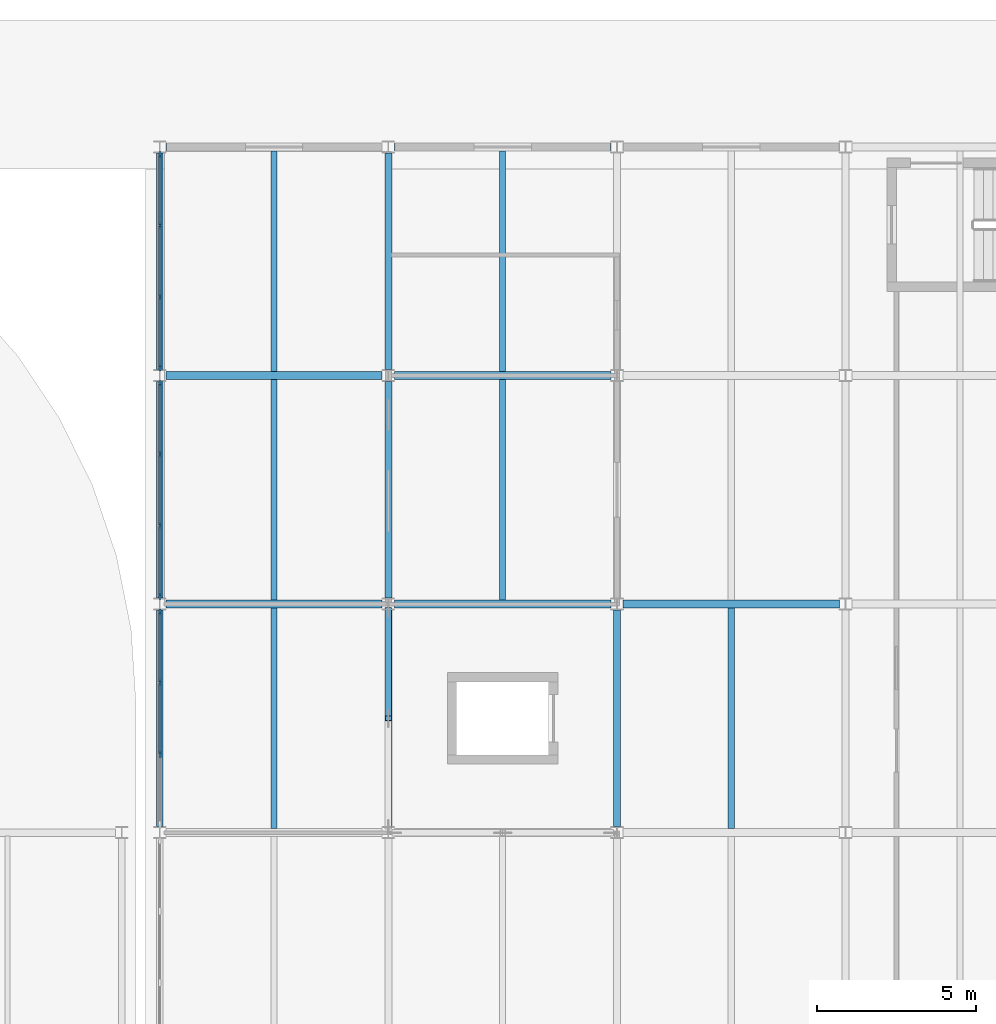
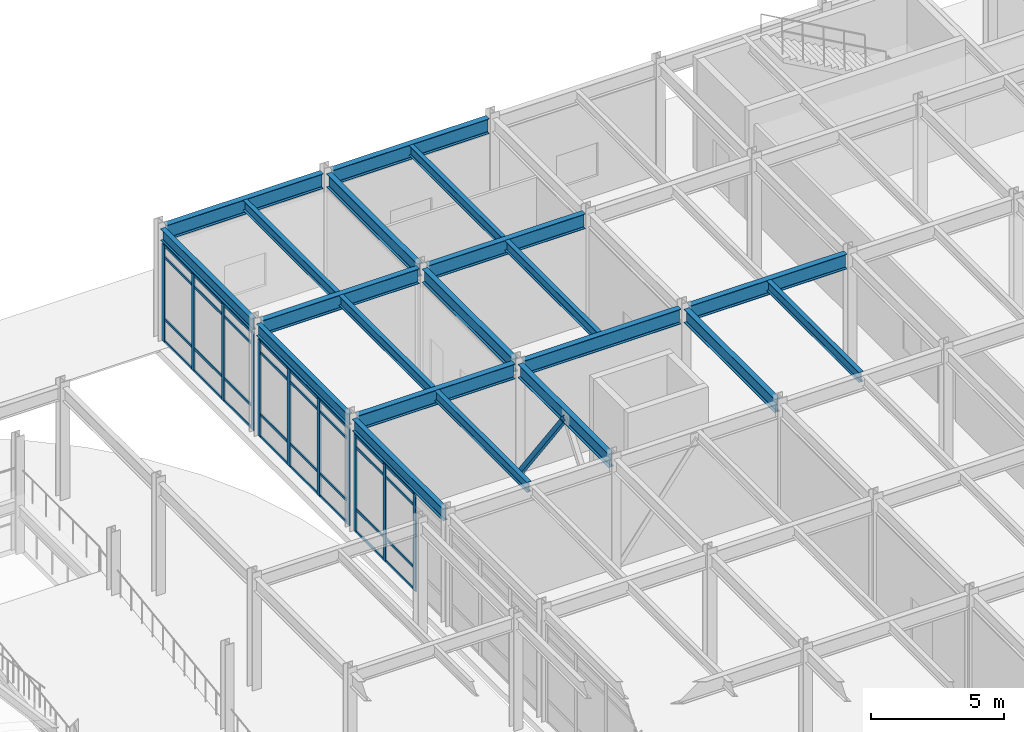
# One storey, part 53 of 104: 44 members, 20 beams, 3 elements without a shape of their own.
"""IFC4 building model written with IfcOpenShell, lengths in metres."""

from ifc_helpers import new_model, si_unit, direction, frame, origin, origin_2d, place, context, subcontext, project, spatial, rectangle, hollow_rectangle, i_section, extrude, material, material_profile, profile_set, type_object, element, aggregate, save


model = new_model("IFC4")

# Units and contexts
model_context = context("Model", 3, precision=1e-05, world=origin(), true_north=direction((0.0, 1.0)))
body_context = subcontext(model_context, "Body", "Model", "MODEL_VIEW")
ifc_project = project(units=[si_unit("LENGTHUNIT", "METRE"), si_unit("AREAUNIT", "SQUARE_METRE"), si_unit("VOLUMEUNIT", "CUBIC_METRE"), si_unit("PLANEANGLEUNIT", "RADIAN"), si_unit("MASSUNIT", "GRAM", prefix="KILO")], contexts=[model_context])

# Site, building, storey
site_placement = place(None, origin())
site = spatial("IfcSite", under=ifc_project, at=site_placement, CompositionType="ELEMENT")
building_placement = place(site_placement, origin())
building = spatial("IfcBuilding", under=site, at=building_placement, Name="Vaelcorin Mobility Hub", CompositionType="ELEMENT")
storey_placement = place(building_placement, origin())
storey = spatial("IfcBuildingStorey", under=building, at=storey_placement, Name="L00", CompositionType="ELEMENT", Elevation=0.0)

# Beams
ifc_material_1 = material(Name="Steel ASTM A992 Grade 50", Category="steel")
ifc_material_profile_1 = material_profile(ifc_material_1, i_section(OverallWidth=0.19091796875, OverallDepth=0.4599609375, WebThickness=0.010009765625, FlangeThickness=0.01611328125, FilletRadius=0.012939453125, at=origin_2d()), Name="W18X55")
ifc_profile_set_1 = profile_set([ifc_material_profile_1], Name="Steel ASTM A992 Grade 50")
beam_type_1 = type_object("IfcBeamType", Name="BM-W18X55", PredefinedType="JOIST", material=ifc_profile_set_1)
beam_1_placement = place(storey_placement, frame((157.199951171875, 98.52490234375, 4.909912109375), z_axis=(0.0, 1.0, 0.0), x_axis=(-1.0, 0.0, 0.0)))
element("IfcBeam", 1, at=beam_1_placement, inside=storey, type_object=beam_type_1, Name="L00 Beam V5-L00-J-01-12-1", PredefinedType="JOIST", context=body_context, shape_type="SweptSolid", body=[
    extrude(i_section(OverallWidth=0.19091796875, OverallDepth=0.4599609375, WebThickness=0.010009765625, FlangeThickness=0.01611328125, FilletRadius=0.012939453125, at=origin_2d()), origin(), (0.0, 0.0, 1.0), 6.9501953125),
])
for number, where, z_axis, x_axis, name in (
    (2, (157.199951171875, 105.72509765625, 4.909912109375), (0.0, 1.0, 0.0), (-1.0, 0.0, 0.0), "L00 Beam V5-L00-J-01-13-1"),
    (3, (157.199951171875, 112.925048828125, 4.909912109375), (0.0, 1.0, 0.0), (-1.0, 0.0, 0.0), "L00 Beam V5-L00-J-01-14-1"),
    (4, (164.39990234375, 105.72509765625, 4.909912109375), (0.0, 1.0, 0.0), (-1.0, 0.0, 0.0), "L00 Beam V5-L00-J-02-13-1"),
    (5, (164.39990234375, 112.925048828125, 4.909912109375), (0.0, 1.0, 0.0), (-1.0, 0.0, 0.0), "L00 Beam V5-L00-J-02-14-1"),
):
    element("IfcBeam", number, at=place(storey_placement, frame(where, z_axis=z_axis, x_axis=x_axis)), inside=storey, type_object=beam_type_1, Name=name, PredefinedType="JOIST", context=body_context, shape_type="SweptSolid", body=[
        extrude(i_section(OverallWidth=0.19091796875, OverallDepth=0.4599609375, WebThickness=0.010009765625, FlangeThickness=0.01611328125, FilletRadius=0.012939453125, at=origin_2d()), origin(), (0.0, 0.0, 1.0), 6.949951171875),
    ])
beam_2_placement = place(storey_placement, frame((171.60009765625, 98.52490234375, 4.909912109375), z_axis=(0.0, 1.0, 0.0), x_axis=(-1.0, 0.0, 0.0)))
element("IfcBeam", 6, at=beam_2_placement, inside=storey, type_object=beam_type_1, Name="L00 Beam V5-L00-J-03-12-1", PredefinedType="JOIST", context=body_context, shape_type="SweptSolid", body=[
    extrude(i_section(OverallWidth=0.19091796875, OverallDepth=0.4599609375, WebThickness=0.010009765625, FlangeThickness=0.01611328125, FilletRadius=0.012939453125, at=origin_2d()), origin(), (0.0, 0.0, 1.0), 6.9501953125),
])
ifc_material_profile_2 = material_profile(ifc_material_1, i_section(OverallWidth=0.2099609375, OverallDepth=0.535888671875, WebThickness=0.010986328125, FlangeThickness=0.017333984375, FilletRadius=0.013916015625, at=origin_2d()), Name="W21X68")
ifc_profile_set_2 = profile_set([ifc_material_profile_2], Name="Steel ASTM A992 Grade 50")
beam_type_2 = type_object("IfcBeamType", Name="BM-W21X68", PredefinedType="SPANDREL", material=ifc_profile_set_2)
beam_3_placement = place(storey_placement, frame((153.60009765625, 98.589111328125, 4.8720703125), z_axis=(0.0, 1.0, 0.0), x_axis=(-1.0, 0.0, 0.0)))
element("IfcBeam", 7, at=beam_3_placement, inside=storey, type_object=beam_type_2, Name="L00 Beam V5-L00-GY-01-12", PredefinedType="SPANDREL", context=body_context, shape_type="SweptSolid", body=[
    extrude(i_section(OverallWidth=0.2099609375, OverallDepth=0.535888671875, WebThickness=0.010986328125, FlangeThickness=0.017333984375, FilletRadius=0.013916015625, at=origin_2d()), origin(), (0.0, 0.0, 1.0), 6.82177734375),
])
beam_4_placement = place(storey_placement, frame((153.60009765625, 105.7880859375, 4.8720703125), z_axis=(0.0, 1.0, 0.0), x_axis=(-1.0, 0.0, 0.0)))
element("IfcBeam", 8, at=beam_4_placement, inside=storey, type_object=beam_type_2, Name="L00 Beam V5-L00-GY-01-13", PredefinedType="SPANDREL", context=body_context, shape_type="SweptSolid", body=[
    extrude(i_section(OverallWidth=0.2099609375, OverallDepth=0.535888671875, WebThickness=0.010986328125, FlangeThickness=0.017333984375, FilletRadius=0.013916015625, at=origin_2d()), origin(), (0.0, 0.0, 1.0), 6.822998046875),
])
beam_5_placement = place(storey_placement, frame((153.60009765625, 112.988037109375, 4.8720703125), z_axis=(0.0, 1.0, 0.0), x_axis=(-1.0, 0.0, 0.0)))
element("IfcBeam", 9, at=beam_5_placement, inside=storey, type_object=beam_type_2, Name="L00 Beam V5-L00-GY-01-14", PredefinedType="SPANDREL", context=body_context, shape_type="SweptSolid", body=[
    extrude(i_section(OverallWidth=0.2099609375, OverallDepth=0.535888671875, WebThickness=0.010986328125, FlangeThickness=0.017333984375, FilletRadius=0.013916015625, at=origin_2d()), origin(), (0.0, 0.0, 1.0), 6.823974609375),
])
ifc_material_profile_3 = material_profile(ifc_material_1, i_section(OverallWidth=0.22900390625, OverallDepth=0.612060546875, WebThickness=0.011962890625, FlangeThickness=0.01953125, FilletRadius=0.014892578125, at=origin_2d()), Name="W24X84")
ifc_profile_set_3 = profile_set([ifc_material_profile_3], Name="Steel ASTM A992 Grade 50")
beam_type_3 = type_object("IfcBeamType", Name="BM-W24X84", PredefinedType="BEAM", material=ifc_profile_set_3)
beam_6_placement = place(storey_placement, frame((160.800048828125, 98.589111328125, 4.833984375), z_axis=(0.0, 1.0, 0.0), x_axis=(-1.0, 0.0, 0.0)))
element("IfcBeam", 10, at=beam_6_placement, inside=storey, type_object=beam_type_3, Name="L00 Beam V5-L00-GY-02-12", PredefinedType="BEAM", context=body_context, shape_type="SweptSolid", body=[
    extrude(i_section(OverallWidth=0.22900390625, OverallDepth=0.612060546875, WebThickness=0.011962890625, FlangeThickness=0.01953125, FilletRadius=0.014892578125, at=origin_2d()), origin(), (0.0, 0.0, 1.0), 6.82177734375),
])
beam_7_placement = place(storey_placement, frame((160.800048828125, 105.7880859375, 4.833984375), z_axis=(0.0, 1.0, 0.0), x_axis=(-1.0, 0.0, 0.0)))
element("IfcBeam", 11, at=beam_7_placement, inside=storey, type_object=beam_type_3, Name="L00 Beam V5-L00-GY-02-13", PredefinedType="BEAM", context=body_context, shape_type="SweptSolid", body=[
    extrude(i_section(OverallWidth=0.22900390625, OverallDepth=0.612060546875, WebThickness=0.011962890625, FlangeThickness=0.01953125, FilletRadius=0.014892578125, at=origin_2d()), origin(), (0.0, 0.0, 1.0), 6.822998046875),
])
beam_8_placement = place(storey_placement, frame((160.800048828125, 112.988037109375, 4.833984375), z_axis=(0.0, 1.0, 0.0), x_axis=(-1.0, 0.0, 0.0)))
element("IfcBeam", 12, at=beam_8_placement, inside=storey, type_object=beam_type_3, Name="L00 Beam V5-L00-GY-02-14", PredefinedType="BEAM", context=body_context, shape_type="SweptSolid", body=[
    extrude(i_section(OverallWidth=0.22900390625, OverallDepth=0.612060546875, WebThickness=0.011962890625, FlangeThickness=0.01953125, FilletRadius=0.014892578125, at=origin_2d()), origin(), (0.0, 0.0, 1.0), 6.823974609375),
])
beam_9_placement = place(storey_placement, frame((168.0, 98.589111328125, 4.833984375), z_axis=(0.0, 1.0, 0.0), x_axis=(-1.0, 0.0, 0.0)))
element("IfcBeam", 13, at=beam_9_placement, inside=storey, type_object=beam_type_3, Name="L00 Beam V5-L00-GY-03-12", PredefinedType="BEAM", context=body_context, shape_type="SweptSolid", body=[
    extrude(i_section(OverallWidth=0.22900390625, OverallDepth=0.612060546875, WebThickness=0.011962890625, FlangeThickness=0.01953125, FilletRadius=0.014892578125, at=origin_2d()), origin(), (0.0, 0.0, 1.0), 6.82177734375),
])
ifc_material_profile_4 = material_profile(ifc_material_1, i_section(OverallWidth=0.25390625, OverallDepth=0.68310546875, WebThickness=0.012451171875, FlangeThickness=0.018798828125, FilletRadius=0.01611328125, at=origin_2d()), Name="W27X94")
ifc_profile_set_4 = profile_set([ifc_material_profile_4], Name="Steel ASTM A992 Grade 50")
beam_type_4 = type_object("IfcBeamType", Name="BM-W27X94", PredefinedType="BEAM", material=ifc_profile_set_4)
beam_10_placement = place(storey_placement, frame((153.7958984375, 105.60009765625, 4.798095703125), z_axis=(1.0, 0.0, 0.0), x_axis=(0.0, 1.0, 0.0)))
element("IfcBeam", 14, at=beam_10_placement, inside=storey, type_object=beam_type_4, Name="L00 Beam V5-L00-GX-13-01", PredefinedType="BEAM", context=body_context, shape_type="SweptSolid", body=[
    extrude(i_section(OverallWidth=0.25390625, OverallDepth=0.68310546875, WebThickness=0.012451171875, FlangeThickness=0.018798828125, FilletRadius=0.01611328125, at=origin_2d()), origin(), (0.0, 0.0, 1.0), 6.80810546875),
])
for number, where, z_axis, x_axis, name in (
    (15, (160.99609375, 105.60009765625, 4.798095703125), (1.0, 0.0, 0.0), (0.0, 1.0, 0.0), "L00 Beam V5-L00-GX-13-02"),
    (16, (168.196044921875, 105.60009765625, 4.798095703125), (1.0, 0.0, 0.0), (0.0, 1.0, 0.0), "L00 Beam V5-L00-GX-13-03"),
):
    element("IfcBeam", number, at=place(storey_placement, frame(where, z_axis=z_axis, x_axis=x_axis)), inside=storey, type_object=beam_type_4, Name=name, PredefinedType="BEAM", context=body_context, shape_type="SweptSolid", body=[
        extrude(i_section(OverallWidth=0.25390625, OverallDepth=0.68310546875, WebThickness=0.012451171875, FlangeThickness=0.018798828125, FilletRadius=0.01611328125, at=origin_2d()), origin(), (0.0, 0.0, 1.0), 6.807861328125),
    ])
beam_11_placement = place(storey_placement, frame((153.7958984375, 112.800048828125, 4.798095703125), z_axis=(1.0, 0.0, 0.0), x_axis=(0.0, 1.0, 0.0)))
element("IfcBeam", 17, at=beam_11_placement, inside=storey, type_object=beam_type_4, Name="L00 Beam V5-L00-GX-14-01", PredefinedType="BEAM", context=body_context, shape_type="SweptSolid", body=[
    extrude(i_section(OverallWidth=0.25390625, OverallDepth=0.68310546875, WebThickness=0.012451171875, FlangeThickness=0.018798828125, FilletRadius=0.01611328125, at=origin_2d()), origin(), (0.0, 0.0, 1.0), 6.80810546875),
])
beam_12_placement = place(storey_placement, frame((160.99609375, 112.800048828125, 4.798095703125), z_axis=(1.0, 0.0, 0.0), x_axis=(0.0, 1.0, 0.0)))
element("IfcBeam", 18, at=beam_12_placement, inside=storey, type_object=beam_type_4, Name="L00 Beam V5-L00-GX-14-02", PredefinedType="BEAM", context=body_context, shape_type="SweptSolid", body=[
    extrude(i_section(OverallWidth=0.25390625, OverallDepth=0.68310546875, WebThickness=0.012451171875, FlangeThickness=0.018798828125, FilletRadius=0.01611328125, at=origin_2d()), origin(), (0.0, 0.0, 1.0), 6.807861328125),
])
beam_13_placement = place(storey_placement, frame((153.7958984375, 120.0, 4.798095703125), z_axis=(1.0, 0.0, 0.0), x_axis=(0.0, 1.0, 0.0)))
element("IfcBeam", 19, at=beam_13_placement, inside=storey, type_object=beam_type_4, Name="L00 Beam V5-L00-GX-15-01", PredefinedType="BEAM", context=body_context, shape_type="SweptSolid", body=[
    extrude(i_section(OverallWidth=0.25390625, OverallDepth=0.68310546875, WebThickness=0.012451171875, FlangeThickness=0.018798828125, FilletRadius=0.01611328125, at=origin_2d()), origin(), (0.0, 0.0, 1.0), 6.80810546875),
])
beam_14_placement = place(storey_placement, frame((160.99609375, 120.0, 4.798095703125), z_axis=(1.0, 0.0, 0.0), x_axis=(0.0, 1.0, 0.0)))
element("IfcBeam", 20, at=beam_14_placement, inside=storey, type_object=beam_type_4, Name="L00 Beam V5-L00-GX-15-02", PredefinedType="BEAM", context=body_context, shape_type="SweptSolid", body=[
    extrude(i_section(OverallWidth=0.25390625, OverallDepth=0.68310546875, WebThickness=0.012451171875, FlangeThickness=0.018798828125, FilletRadius=0.01611328125, at=origin_2d()), origin(), (0.0, 0.0, 1.0), 6.807861328125),
])

# Member
ifc_material_2 = material(Name="Steel ASTM A500 Grade C", Category="steel")
ifc_material_profile_5 = material_profile(ifc_material_2, hollow_rectangle(XDim=0.203125, YDim=0.203125, WallThickness=0.01171875, at=origin_2d()), Name="HSS8X8X0.500")
ifc_profile_set_5 = profile_set([ifc_material_profile_5], Name="Steel ASTM A500 Grade C")
member_type_1 = type_object("IfcMemberType", Name="BR-SCBF-8X8", PredefinedType="BRACE", material=ifc_profile_set_5)
member_1_placement = place(storey_placement, frame((160.800048828125, 105.409912109375, 0.179931640625), z_axis=(0.0, -0.598018326756, 0.801482427046), x_axis=(1.0, 0.0, 0.0)))
element("IfcMember", 21, at=member_1_placement, inside=storey, type_object=member_type_1, Name="SCBF Chevron Brace V5-BY2-L00-B", PredefinedType="BRACE", context=body_context, shape_type="SweptSolid", body=[
    extrude(hollow_rectangle(XDim=0.203125, YDim=0.203125, WallThickness=0.01171875, at=origin_2d()), origin(), (0.0, 0.0, 1.0), 5.701904296875),
])

# Curtain wall, members
ifc_material_3 = material(Name="Anodised aluminium 6063-T6", Category="aluminium")
curtain_wall_type = type_object("IfcCurtainWallType", Name="CW-MOB-A", PredefinedType="NOTDEFINED", material=ifc_material_3)
curtain_wall_1_placement = place(storey_placement, origin())
curtain_wall_1 = element("IfcCurtainWall", 22, at=curtain_wall_1_placement, inside=storey, type_object=curtain_wall_type, Name="L00 Curtain Wall CW-V5-L00-WN-04", PredefinedType="NOTDEFINED")
ifc_material_profile_6 = material_profile(ifc_material_3, rectangle(XDim=0.070068359375, YDim=0.199951171875, at=origin_2d()), Name="ALU-M70X200")
ifc_profile_set_6 = profile_set([ifc_material_profile_6], Name="Anodised aluminium 6063-T6")
member_type_2 = type_object("IfcMemberType", Name="CW-MULL-200", PredefinedType="MULLION", material=ifc_profile_set_6)
member_2_placement = place(storey_placement, frame((153.60009765625, 100.873291015625, 0.0), z_axis=(0.0, 0.0, 1.0), x_axis=(-1.0, 0.0, 0.0)))
member_2 = element("IfcMember", 23, at=member_2_placement, type_object=member_type_2, Name="CW7 mullion 2", PredefinedType="MULLION", context=body_context, shape_type="SweptSolid", body=[
    extrude(rectangle(XDim=0.070068359375, YDim=0.199951171875, at=origin_2d()), origin(), (0.0, 0.0, 1.0), 4.44189453125),
])
member_3_placement = place(storey_placement, frame((153.60009765625, 103.126708984375, 0.0), z_axis=(0.0, 0.0, 1.0), x_axis=(-1.0, 0.0, 0.0)))
member_3 = element("IfcMember", 24, at=member_3_placement, type_object=member_type_2, Name="CW7 mullion 3", PredefinedType="MULLION", context=body_context, shape_type="SweptSolid", body=[
    extrude(rectangle(XDim=0.070068359375, YDim=0.199951171875, at=origin_2d()), origin(), (0.0, 0.0, 1.0), 4.44189453125),
])
member_4_placement = place(storey_placement, frame((153.60009765625, 105.35009765625, 0.0), z_axis=(0.0, 0.0, 1.0), x_axis=(-1.0, 0.0, 0.0)))
member_4 = element("IfcMember", 25, at=member_4_placement, type_object=member_type_2, Name="CW7 mullion 4", PredefinedType="MULLION", context=body_context, shape_type="SweptSolid", body=[
    extrude(rectangle(XDim=0.070068359375, YDim=0.199951171875, at=origin_2d()), origin(), (0.0, 0.0, 1.0), 4.44189453125),
])

curtain_wall_2_placement = place(storey_placement, origin())
curtain_wall_2 = element("IfcCurtainWall", 26, at=curtain_wall_2_placement, inside=storey, type_object=curtain_wall_type, Name="L00 Curtain Wall CW-V5-L00-WN-05", PredefinedType="NOTDEFINED")
member_5_placement = place(storey_placement, frame((153.60009765625, 105.85009765625, 0.0), z_axis=(0.0, 0.0, 1.0), x_axis=(-1.0, 0.0, 0.0)))
member_5 = element("IfcMember", 27, at=member_5_placement, type_object=member_type_2, Name="CW7 mullion 1", PredefinedType="MULLION", context=body_context, shape_type="SweptSolid", body=[
    extrude(rectangle(XDim=0.070068359375, YDim=0.199951171875, at=origin_2d()), origin(), (0.0, 0.0, 1.0), 4.44189453125),
])
member_6_placement = place(storey_placement, frame((153.60009765625, 108.0732421875, 0.0), z_axis=(0.0, 0.0, 1.0), x_axis=(-1.0, 0.0, 0.0)))
member_6 = element("IfcMember", 28, at=member_6_placement, type_object=member_type_2, Name="CW7 mullion 2", PredefinedType="MULLION", context=body_context, shape_type="SweptSolid", body=[
    extrude(rectangle(XDim=0.070068359375, YDim=0.199951171875, at=origin_2d()), origin(), (0.0, 0.0, 1.0), 4.44189453125),
])
member_7_placement = place(storey_placement, frame((153.60009765625, 110.32666015625, 0.0), z_axis=(0.0, 0.0, 1.0), x_axis=(-1.0, 0.0, 0.0)))
member_7 = element("IfcMember", 29, at=member_7_placement, type_object=member_type_2, Name="CW7 mullion 3", PredefinedType="MULLION", context=body_context, shape_type="SweptSolid", body=[
    extrude(rectangle(XDim=0.070068359375, YDim=0.199951171875, at=origin_2d()), origin(), (0.0, 0.0, 1.0), 4.44189453125),
])
member_8_placement = place(storey_placement, frame((153.60009765625, 112.550048828125, 0.0), z_axis=(0.0, 0.0, 1.0), x_axis=(-1.0, 0.0, 0.0)))
member_8 = element("IfcMember", 30, at=member_8_placement, type_object=member_type_2, Name="CW7 mullion 4", PredefinedType="MULLION", context=body_context, shape_type="SweptSolid", body=[
    extrude(rectangle(XDim=0.070068359375, YDim=0.199951171875, at=origin_2d()), origin(), (0.0, 0.0, 1.0), 4.44189453125),
])

curtain_wall_3_placement = place(storey_placement, origin())
curtain_wall_3 = element("IfcCurtainWall", 31, at=curtain_wall_3_placement, inside=storey, type_object=curtain_wall_type, Name="L00 Curtain Wall CW-V5-L00-WN-06", PredefinedType="NOTDEFINED")
member_9_placement = place(storey_placement, frame((153.60009765625, 113.050048828125, 0.0), z_axis=(0.0, 0.0, 1.0), x_axis=(-1.0, 0.0, 0.0)))
member_9 = element("IfcMember", 32, at=member_9_placement, type_object=member_type_2, Name="CW7 mullion 1", PredefinedType="MULLION", context=body_context, shape_type="SweptSolid", body=[
    extrude(rectangle(XDim=0.070068359375, YDim=0.199951171875, at=origin_2d()), origin(), (0.0, 0.0, 1.0), 4.44189453125),
])
member_10_placement = place(storey_placement, frame((153.60009765625, 115.2734375, 0.0), z_axis=(0.0, 0.0, 1.0), x_axis=(-1.0, 0.0, 0.0)))
member_10 = element("IfcMember", 33, at=member_10_placement, type_object=member_type_2, Name="CW7 mullion 2", PredefinedType="MULLION", context=body_context, shape_type="SweptSolid", body=[
    extrude(rectangle(XDim=0.070068359375, YDim=0.199951171875, at=origin_2d()), origin(), (0.0, 0.0, 1.0), 4.44189453125),
])
member_11_placement = place(storey_placement, frame((153.60009765625, 117.526611328125, 0.0), z_axis=(0.0, 0.0, 1.0), x_axis=(-1.0, 0.0, 0.0)))
member_11 = element("IfcMember", 34, at=member_11_placement, type_object=member_type_2, Name="CW7 mullion 3", PredefinedType="MULLION", context=body_context, shape_type="SweptSolid", body=[
    extrude(rectangle(XDim=0.070068359375, YDim=0.199951171875, at=origin_2d()), origin(), (0.0, 0.0, 1.0), 4.44189453125),
])
member_12_placement = place(storey_placement, frame((153.60009765625, 119.75, 0.0), z_axis=(0.0, 0.0, 1.0), x_axis=(-1.0, 0.0, 0.0)))
member_12 = element("IfcMember", 35, at=member_12_placement, type_object=member_type_2, Name="CW7 mullion 4", PredefinedType="MULLION", context=body_context, shape_type="SweptSolid", body=[
    extrude(rectangle(XDim=0.070068359375, YDim=0.199951171875, at=origin_2d()), origin(), (0.0, 0.0, 1.0), 4.44189453125),
])

# Member
ifc_material_profile_7 = material_profile(ifc_material_3, rectangle(XDim=0.06005859375, YDim=0.1201171875, at=origin_2d()), Name="ALU-T60X120")
ifc_profile_set_7 = profile_set([ifc_material_profile_7], Name="Anodised aluminium 6063-T6")
member_type_3 = type_object("IfcMemberType", Name="CW-TRAN-140", PredefinedType="USERDEFINED", material=ifc_profile_set_7)
member_13_placement = place(storey_placement, frame((153.60009765625, 100.9033203125, 0.030029296875), z_axis=(0.0, 1.0, 0.0), x_axis=(-1.0, 0.0, 0.0)))
member_13 = element("IfcMember", 36, at=member_13_placement, type_object=member_type_3, Name="CW7 transom 2.1", ObjectType="TRANSOM", PredefinedType="USERDEFINED", context=body_context, shape_type="SweptSolid", body=[
    extrude(rectangle(XDim=0.06005859375, YDim=0.1201171875, at=origin_2d()), origin(), (0.0, 0.0, 1.0), 2.193359375),
])

member_14_placement = place(storey_placement, frame((153.60009765625, 100.9033203125, 1.050048828125), z_axis=(0.0, 1.0, 0.0), x_axis=(-1.0, 0.0, 0.0)))
member_14 = element("IfcMember", 37, at=member_14_placement, type_object=member_type_3, Name="CW7 transom 2.2", ObjectType="TRANSOM", PredefinedType="USERDEFINED", context=body_context, shape_type="SweptSolid", body=[
    extrude(rectangle(XDim=0.06005859375, YDim=0.1201171875, at=origin_2d()), origin(), (0.0, 0.0, 1.0), 2.193359375),
])

member_15_placement = place(storey_placement, frame((153.60009765625, 100.9033203125, 3.89208984375), z_axis=(0.0, 1.0, 0.0), x_axis=(-1.0, 0.0, 0.0)))
member_15 = element("IfcMember", 38, at=member_15_placement, type_object=member_type_3, Name="CW7 transom 2.3", ObjectType="TRANSOM", PredefinedType="USERDEFINED", context=body_context, shape_type="SweptSolid", body=[
    extrude(rectangle(XDim=0.06005859375, YDim=0.1201171875, at=origin_2d()), origin(), (0.0, 0.0, 1.0), 2.193359375),
])

member_16_placement = place(storey_placement, frame((153.60009765625, 100.9033203125, 4.412109375), z_axis=(0.0, 1.0, 0.0), x_axis=(-1.0, 0.0, 0.0)))
member_16 = element("IfcMember", 39, at=member_16_placement, type_object=member_type_3, Name="CW7 transom 2.4", ObjectType="TRANSOM", PredefinedType="USERDEFINED", context=body_context, shape_type="SweptSolid", body=[
    extrude(rectangle(XDim=0.06005859375, YDim=0.1201171875, at=origin_2d()), origin(), (0.0, 0.0, 1.0), 2.193359375),
])

member_17_placement = place(storey_placement, frame((153.60009765625, 103.15673828125, 0.030029296875), z_axis=(0.0, 1.0, 0.0), x_axis=(-1.0, 0.0, 0.0)))
member_17 = element("IfcMember", 40, at=member_17_placement, type_object=member_type_3, Name="CW7 transom 3.1", ObjectType="TRANSOM", PredefinedType="USERDEFINED", context=body_context, shape_type="SweptSolid", body=[
    extrude(rectangle(XDim=0.06005859375, YDim=0.1201171875, at=origin_2d()), origin(), (0.0, 0.0, 1.0), 2.163330078125),
])

member_18_placement = place(storey_placement, frame((153.60009765625, 103.15673828125, 1.050048828125), z_axis=(0.0, 1.0, 0.0), x_axis=(-1.0, 0.0, 0.0)))
member_18 = element("IfcMember", 41, at=member_18_placement, type_object=member_type_3, Name="CW7 transom 3.2", ObjectType="TRANSOM", PredefinedType="USERDEFINED", context=body_context, shape_type="SweptSolid", body=[
    extrude(rectangle(XDim=0.06005859375, YDim=0.1201171875, at=origin_2d()), origin(), (0.0, 0.0, 1.0), 2.163330078125),
])

member_19_placement = place(storey_placement, frame((153.60009765625, 103.15673828125, 3.89208984375), z_axis=(0.0, 1.0, 0.0), x_axis=(-1.0, 0.0, 0.0)))
member_19 = element("IfcMember", 42, at=member_19_placement, type_object=member_type_3, Name="CW7 transom 3.3", ObjectType="TRANSOM", PredefinedType="USERDEFINED", context=body_context, shape_type="SweptSolid", body=[
    extrude(rectangle(XDim=0.06005859375, YDim=0.1201171875, at=origin_2d()), origin(), (0.0, 0.0, 1.0), 2.163330078125),
])

member_20_placement = place(storey_placement, frame((153.60009765625, 103.15673828125, 4.412109375), z_axis=(0.0, 1.0, 0.0), x_axis=(-1.0, 0.0, 0.0)))
member_20 = element("IfcMember", 43, at=member_20_placement, type_object=member_type_3, Name="CW7 transom 3.4", ObjectType="TRANSOM", PredefinedType="USERDEFINED", context=body_context, shape_type="SweptSolid", body=[
    extrude(rectangle(XDim=0.06005859375, YDim=0.1201171875, at=origin_2d()), origin(), (0.0, 0.0, 1.0), 2.163330078125),
])

aggregate(curtain_wall_1, [member_2, member_3, member_4, member_13, member_14, member_15, member_16, member_17, member_18, member_19, member_20])

member_21_placement = place(storey_placement, frame((153.60009765625, 105.8798828125, 0.030029296875), z_axis=(0.0, 1.0, 0.0), x_axis=(-1.0, 0.0, 0.0)))
member_21 = element("IfcMember", 44, at=member_21_placement, type_object=member_type_3, Name="CW7 transom 1.1", ObjectType="TRANSOM", PredefinedType="USERDEFINED", context=body_context, shape_type="SweptSolid", body=[
    extrude(rectangle(XDim=0.06005859375, YDim=0.1201171875, at=origin_2d()), origin(), (0.0, 0.0, 1.0), 2.163330078125),
])

member_22_placement = place(storey_placement, frame((153.60009765625, 105.8798828125, 1.050048828125), z_axis=(0.0, 1.0, 0.0), x_axis=(-1.0, 0.0, 0.0)))
member_22 = element("IfcMember", 45, at=member_22_placement, type_object=member_type_3, Name="CW7 transom 1.2", ObjectType="TRANSOM", PredefinedType="USERDEFINED", context=body_context, shape_type="SweptSolid", body=[
    extrude(rectangle(XDim=0.06005859375, YDim=0.1201171875, at=origin_2d()), origin(), (0.0, 0.0, 1.0), 2.163330078125),
])

member_23_placement = place(storey_placement, frame((153.60009765625, 105.8798828125, 3.89208984375), z_axis=(0.0, 1.0, 0.0), x_axis=(-1.0, 0.0, 0.0)))
member_23 = element("IfcMember", 46, at=member_23_placement, type_object=member_type_3, Name="CW7 transom 1.3", ObjectType="TRANSOM", PredefinedType="USERDEFINED", context=body_context, shape_type="SweptSolid", body=[
    extrude(rectangle(XDim=0.06005859375, YDim=0.1201171875, at=origin_2d()), origin(), (0.0, 0.0, 1.0), 2.163330078125),
])

member_24_placement = place(storey_placement, frame((153.60009765625, 105.8798828125, 4.412109375), z_axis=(0.0, 1.0, 0.0), x_axis=(-1.0, 0.0, 0.0)))
member_24 = element("IfcMember", 47, at=member_24_placement, type_object=member_type_3, Name="CW7 transom 1.4", ObjectType="TRANSOM", PredefinedType="USERDEFINED", context=body_context, shape_type="SweptSolid", body=[
    extrude(rectangle(XDim=0.06005859375, YDim=0.1201171875, at=origin_2d()), origin(), (0.0, 0.0, 1.0), 2.163330078125),
])

member_25_placement = place(storey_placement, frame((153.60009765625, 108.103271484375, 0.030029296875), z_axis=(0.0, 1.0, 0.0), x_axis=(-1.0, 0.0, 0.0)))
member_25 = element("IfcMember", 48, at=member_25_placement, type_object=member_type_3, Name="CW7 transom 2.1", ObjectType="TRANSOM", PredefinedType="USERDEFINED", context=body_context, shape_type="SweptSolid", body=[
    extrude(rectangle(XDim=0.06005859375, YDim=0.1201171875, at=origin_2d()), origin(), (0.0, 0.0, 1.0), 2.193359375),
])

member_26_placement = place(storey_placement, frame((153.60009765625, 108.103271484375, 1.050048828125), z_axis=(0.0, 1.0, 0.0), x_axis=(-1.0, 0.0, 0.0)))
member_26 = element("IfcMember", 49, at=member_26_placement, type_object=member_type_3, Name="CW7 transom 2.2", ObjectType="TRANSOM", PredefinedType="USERDEFINED", context=body_context, shape_type="SweptSolid", body=[
    extrude(rectangle(XDim=0.06005859375, YDim=0.1201171875, at=origin_2d()), origin(), (0.0, 0.0, 1.0), 2.193359375),
])

member_27_placement = place(storey_placement, frame((153.60009765625, 108.103271484375, 3.89208984375), z_axis=(0.0, 1.0, 0.0), x_axis=(-1.0, 0.0, 0.0)))
member_27 = element("IfcMember", 50, at=member_27_placement, type_object=member_type_3, Name="CW7 transom 2.3", ObjectType="TRANSOM", PredefinedType="USERDEFINED", context=body_context, shape_type="SweptSolid", body=[
    extrude(rectangle(XDim=0.06005859375, YDim=0.1201171875, at=origin_2d()), origin(), (0.0, 0.0, 1.0), 2.193359375),
])

member_28_placement = place(storey_placement, frame((153.60009765625, 108.103271484375, 4.412109375), z_axis=(0.0, 1.0, 0.0), x_axis=(-1.0, 0.0, 0.0)))
member_28 = element("IfcMember", 51, at=member_28_placement, type_object=member_type_3, Name="CW7 transom 2.4", ObjectType="TRANSOM", PredefinedType="USERDEFINED", context=body_context, shape_type="SweptSolid", body=[
    extrude(rectangle(XDim=0.06005859375, YDim=0.1201171875, at=origin_2d()), origin(), (0.0, 0.0, 1.0), 2.193359375),
])

member_29_placement = place(storey_placement, frame((153.60009765625, 110.356689453125, 0.030029296875), z_axis=(0.0, 1.0, 0.0), x_axis=(-1.0, 0.0, 0.0)))
member_29 = element("IfcMember", 52, at=member_29_placement, type_object=member_type_3, Name="CW7 transom 3.1", ObjectType="TRANSOM", PredefinedType="USERDEFINED", context=body_context, shape_type="SweptSolid", body=[
    extrude(rectangle(XDim=0.06005859375, YDim=0.1201171875, at=origin_2d()), origin(), (0.0, 0.0, 1.0), 2.163330078125),
])

member_30_placement = place(storey_placement, frame((153.60009765625, 110.356689453125, 1.050048828125), z_axis=(0.0, 1.0, 0.0), x_axis=(-1.0, 0.0, 0.0)))
member_30 = element("IfcMember", 53, at=member_30_placement, type_object=member_type_3, Name="CW7 transom 3.2", ObjectType="TRANSOM", PredefinedType="USERDEFINED", context=body_context, shape_type="SweptSolid", body=[
    extrude(rectangle(XDim=0.06005859375, YDim=0.1201171875, at=origin_2d()), origin(), (0.0, 0.0, 1.0), 2.163330078125),
])

member_31_placement = place(storey_placement, frame((153.60009765625, 110.356689453125, 3.89208984375), z_axis=(0.0, 1.0, 0.0), x_axis=(-1.0, 0.0, 0.0)))
member_31 = element("IfcMember", 54, at=member_31_placement, type_object=member_type_3, Name="CW7 transom 3.3", ObjectType="TRANSOM", PredefinedType="USERDEFINED", context=body_context, shape_type="SweptSolid", body=[
    extrude(rectangle(XDim=0.06005859375, YDim=0.1201171875, at=origin_2d()), origin(), (0.0, 0.0, 1.0), 2.163330078125),
])

member_32_placement = place(storey_placement, frame((153.60009765625, 110.356689453125, 4.412109375), z_axis=(0.0, 1.0, 0.0), x_axis=(-1.0, 0.0, 0.0)))
member_32 = element("IfcMember", 55, at=member_32_placement, type_object=member_type_3, Name="CW7 transom 3.4", ObjectType="TRANSOM", PredefinedType="USERDEFINED", context=body_context, shape_type="SweptSolid", body=[
    extrude(rectangle(XDim=0.06005859375, YDim=0.1201171875, at=origin_2d()), origin(), (0.0, 0.0, 1.0), 2.163330078125),
])

aggregate(curtain_wall_2, [member_5, member_6, member_7, member_8, member_21, member_22, member_23, member_24, member_25, member_26, member_27, member_28, member_29, member_30, member_31, member_32])

member_33_placement = place(storey_placement, frame((153.60009765625, 113.080078125, 0.030029296875), z_axis=(0.0, 1.0, 0.0), x_axis=(-1.0, 0.0, 0.0)))
member_33 = element("IfcMember", 56, at=member_33_placement, type_object=member_type_3, Name="CW7 transom 1.1", ObjectType="TRANSOM", PredefinedType="USERDEFINED", context=body_context, shape_type="SweptSolid", body=[
    extrude(rectangle(XDim=0.06005859375, YDim=0.1201171875, at=origin_2d()), origin(), (0.0, 0.0, 1.0), 2.163330078125),
])

member_34_placement = place(storey_placement, frame((153.60009765625, 113.080078125, 1.050048828125), z_axis=(0.0, 1.0, 0.0), x_axis=(-1.0, 0.0, 0.0)))
member_34 = element("IfcMember", 57, at=member_34_placement, type_object=member_type_3, Name="CW7 transom 1.2", ObjectType="TRANSOM", PredefinedType="USERDEFINED", context=body_context, shape_type="SweptSolid", body=[
    extrude(rectangle(XDim=0.06005859375, YDim=0.1201171875, at=origin_2d()), origin(), (0.0, 0.0, 1.0), 2.163330078125),
])

member_35_placement = place(storey_placement, frame((153.60009765625, 113.080078125, 3.89208984375), z_axis=(0.0, 1.0, 0.0), x_axis=(-1.0, 0.0, 0.0)))
member_35 = element("IfcMember", 58, at=member_35_placement, type_object=member_type_3, Name="CW7 transom 1.3", ObjectType="TRANSOM", PredefinedType="USERDEFINED", context=body_context, shape_type="SweptSolid", body=[
    extrude(rectangle(XDim=0.06005859375, YDim=0.1201171875, at=origin_2d()), origin(), (0.0, 0.0, 1.0), 2.163330078125),
])

member_36_placement = place(storey_placement, frame((153.60009765625, 113.080078125, 4.412109375), z_axis=(0.0, 1.0, 0.0), x_axis=(-1.0, 0.0, 0.0)))
member_36 = element("IfcMember", 59, at=member_36_placement, type_object=member_type_3, Name="CW7 transom 1.4", ObjectType="TRANSOM", PredefinedType="USERDEFINED", context=body_context, shape_type="SweptSolid", body=[
    extrude(rectangle(XDim=0.06005859375, YDim=0.1201171875, at=origin_2d()), origin(), (0.0, 0.0, 1.0), 2.163330078125),
])

member_37_placement = place(storey_placement, frame((153.60009765625, 115.30322265625, 0.030029296875), z_axis=(0.0, 1.0, 0.0), x_axis=(-1.0, 0.0, 0.0)))
member_37 = element("IfcMember", 60, at=member_37_placement, type_object=member_type_3, Name="CW7 transom 2.1", ObjectType="TRANSOM", PredefinedType="USERDEFINED", context=body_context, shape_type="SweptSolid", body=[
    extrude(rectangle(XDim=0.06005859375, YDim=0.1201171875, at=origin_2d()), origin(), (0.0, 0.0, 1.0), 2.193359375),
])

member_38_placement = place(storey_placement, frame((153.60009765625, 115.30322265625, 1.050048828125), z_axis=(0.0, 1.0, 0.0), x_axis=(-1.0, 0.0, 0.0)))
member_38 = element("IfcMember", 61, at=member_38_placement, type_object=member_type_3, Name="CW7 transom 2.2", ObjectType="TRANSOM", PredefinedType="USERDEFINED", context=body_context, shape_type="SweptSolid", body=[
    extrude(rectangle(XDim=0.06005859375, YDim=0.1201171875, at=origin_2d()), origin(), (0.0, 0.0, 1.0), 2.193359375),
])

member_39_placement = place(storey_placement, frame((153.60009765625, 115.30322265625, 3.89208984375), z_axis=(0.0, 1.0, 0.0), x_axis=(-1.0, 0.0, 0.0)))
member_39 = element("IfcMember", 62, at=member_39_placement, type_object=member_type_3, Name="CW7 transom 2.3", ObjectType="TRANSOM", PredefinedType="USERDEFINED", context=body_context, shape_type="SweptSolid", body=[
    extrude(rectangle(XDim=0.06005859375, YDim=0.1201171875, at=origin_2d()), origin(), (0.0, 0.0, 1.0), 2.193359375),
])

member_40_placement = place(storey_placement, frame((153.60009765625, 115.30322265625, 4.412109375), z_axis=(0.0, 1.0, 0.0), x_axis=(-1.0, 0.0, 0.0)))
member_40 = element("IfcMember", 63, at=member_40_placement, type_object=member_type_3, Name="CW7 transom 2.4", ObjectType="TRANSOM", PredefinedType="USERDEFINED", context=body_context, shape_type="SweptSolid", body=[
    extrude(rectangle(XDim=0.06005859375, YDim=0.1201171875, at=origin_2d()), origin(), (0.0, 0.0, 1.0), 2.193359375),
])

member_41_placement = place(storey_placement, frame((153.60009765625, 117.556640625, 0.030029296875), z_axis=(0.0, 1.0, 0.0), x_axis=(-1.0, 0.0, 0.0)))
member_41 = element("IfcMember", 64, at=member_41_placement, type_object=member_type_3, Name="CW7 transom 3.1", ObjectType="TRANSOM", PredefinedType="USERDEFINED", context=body_context, shape_type="SweptSolid", body=[
    extrude(rectangle(XDim=0.06005859375, YDim=0.1201171875, at=origin_2d()), origin(), (0.0, 0.0, 1.0), 2.163330078125),
])

member_42_placement = place(storey_placement, frame((153.60009765625, 117.556640625, 1.050048828125), z_axis=(0.0, 1.0, 0.0), x_axis=(-1.0, 0.0, 0.0)))
member_42 = element("IfcMember", 65, at=member_42_placement, type_object=member_type_3, Name="CW7 transom 3.2", ObjectType="TRANSOM", PredefinedType="USERDEFINED", context=body_context, shape_type="SweptSolid", body=[
    extrude(rectangle(XDim=0.06005859375, YDim=0.1201171875, at=origin_2d()), origin(), (0.0, 0.0, 1.0), 2.163330078125),
])

member_43_placement = place(storey_placement, frame((153.60009765625, 117.556640625, 3.89208984375), z_axis=(0.0, 1.0, 0.0), x_axis=(-1.0, 0.0, 0.0)))
member_43 = element("IfcMember", 66, at=member_43_placement, type_object=member_type_3, Name="CW7 transom 3.3", ObjectType="TRANSOM", PredefinedType="USERDEFINED", context=body_context, shape_type="SweptSolid", body=[
    extrude(rectangle(XDim=0.06005859375, YDim=0.1201171875, at=origin_2d()), origin(), (0.0, 0.0, 1.0), 2.163330078125),
])

member_44_placement = place(storey_placement, frame((153.60009765625, 117.556640625, 4.412109375), z_axis=(0.0, 1.0, 0.0), x_axis=(-1.0, 0.0, 0.0)))
member_44 = element("IfcMember", 67, at=member_44_placement, type_object=member_type_3, Name="CW7 transom 3.4", ObjectType="TRANSOM", PredefinedType="USERDEFINED", context=body_context, shape_type="SweptSolid", body=[
    extrude(rectangle(XDim=0.06005859375, YDim=0.1201171875, at=origin_2d()), origin(), (0.0, 0.0, 1.0), 2.163330078125),
])

aggregate(curtain_wall_3, [member_9, member_10, member_11, member_12, member_33, member_34, member_35, member_36, member_37, member_38, member_39, member_40, member_41, member_42, member_43, member_44])

save(model, "model.ifc")
